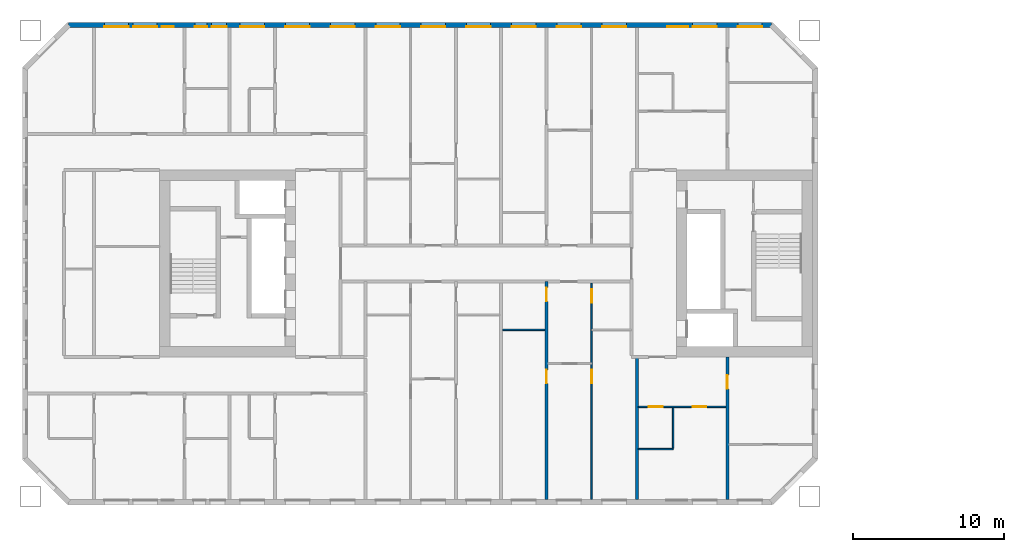
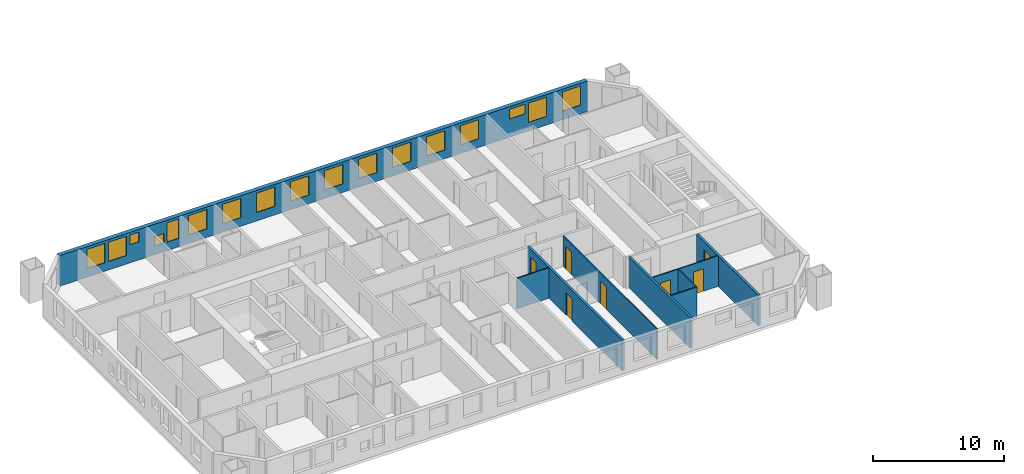
# One storey, part 6 of 17: 17 windows, 9 walls, 7 doors, 24 openings.
"""IFC4 building model written with IfcOpenShell, lengths in metres."""

from ifc_helpers import new_model, si_unit, direction, frame, frame_2d, origin, place, context, subcontext, project, spatial, rectangle, extrude, material, layer, layer_set, type_object, element, fill, save


model = new_model("IFC4")

# Units and contexts
model_context = context("Model", 3, precision=1e-05, world=origin(), true_north=direction((0.0, 1.0)))
body_context = subcontext(model_context, "Body", "Model", "MODEL_VIEW")
ifc_project = project(units=[si_unit("LENGTHUNIT", "METRE"), si_unit("AREAUNIT", "SQUARE_METRE"), si_unit("VOLUMEUNIT", "CUBIC_METRE"), si_unit("PLANEANGLEUNIT", "RADIAN"), si_unit("MASSUNIT", "GRAM", prefix="KILO")], contexts=[model_context])

# Site, building, storey
site_placement = place(None, origin())
site = spatial("IfcSite", under=ifc_project, at=site_placement, CompositionType="ELEMENT")
building_placement = place(site_placement, origin())
building = spatial("IfcBuilding", under=site, at=building_placement, Name="Tuart Gate Housing", CompositionType="ELEMENT")
storey_placement = place(building_placement, frame((0.0, 0.0, 74.699951171875)))
storey = spatial("IfcBuildingStorey", under=building, at=storey_placement, Name="L20", CompositionType="ELEMENT", Elevation=74.699951171875)

# Wall, openings, windows
ifc_material_1 = material(Name="Brick", Category="masonry")
ifc_layer_1 = layer(ifc_material_1, 0.360107421875)
ifc_layer_set_1 = layer_set([ifc_layer_1], Name="Brick pier and spandrel wall 360")
wall_type_1 = type_object("IfcWallType", Name="Brick pier and spandrel wall 360", PredefinedType="STANDARD", material=ifc_layer_set_1)
wall_1_placement = place(storey_placement, frame((72.92529296875, 85.820068359375, 0.0), z_axis=(0.0, 0.0, 1.0), x_axis=(-1.0, 0.0, 0.0)))
wall_1 = element("IfcWall", 1, at=wall_1_placement, inside=storey, type_object=wall_type_1, Name="External wall A-N L20", PredefinedType="STANDARD", context=body_context, shape_type="SweptSolid", body=[
    extrude(rectangle(XDim=46.600830078125, YDim=0.360107421875, at=frame_2d((23.30029296875, 0.0))), origin(), (0.0, 0.0, 1.0), 2.85009765625),
])
opening_1_placement = place(wall_1_placement, frame((0.62548828125, 0.0, 0.800048828125)))
opening_1 = element("IfcOpeningElement", 2, at=opening_1_placement, cuts=wall_1, Name="Opening W1", PredefinedType="OPENING", context=body_context, shape_type="SweptSolid", body=[
    extrude(rectangle(XDim=1.60009765625, YDim=1.800048828125, at=frame_2d((0.800048828125, 0.89990234375))), frame((0.0, 0.18994140625, 0.0), z_axis=(0.0, -1.0, 0.0), x_axis=(1.0, 0.0, 0.0)), (0.0, 0.0, 1.0), 0.380126953125),
])
opening_2_placement = place(wall_1_placement, frame((3.62548828125, 0.0, 0.800048828125)))
opening_2 = element("IfcOpeningElement", 3, at=opening_2_placement, cuts=wall_1, Name="Opening W1", PredefinedType="OPENING", context=body_context, shape_type="SweptSolid", body=[
    extrude(rectangle(XDim=1.60009765625, YDim=1.800048828125, at=frame_2d((0.800048828125, 0.89990234375))), frame((0.0, 0.18994140625, 0.0), z_axis=(0.0, -1.0, 0.0), x_axis=(1.0, 0.0, 0.0)), (0.0, 0.0, 1.0), 0.380126953125),
])
opening_3_placement = place(wall_1_placement, frame((5.525390625, 0.0, 1.699951171875)))
opening_3 = element("IfcOpeningElement", 4, at=opening_3_placement, cuts=wall_1, Name="Opening W1S", PredefinedType="OPENING", context=body_context, shape_type="SweptSolid", body=[
    extrude(rectangle(XDim=1.39990234375, YDim=0.89990234375, at=frame_2d((0.699951171875, 0.449951171875))), frame((0.0, 0.18994140625, 0.0), z_axis=(0.0, -1.0, 0.0), x_axis=(1.0, 0.0, 0.0)), (0.0, 0.0, 1.0), 0.380126953125),
])
opening_4_placement = place(wall_1_placement, frame((9.62548828125, 0.0, 0.800048828125)))
opening_4 = element("IfcOpeningElement", 5, at=opening_4_placement, cuts=wall_1, Name="Opening W1", PredefinedType="OPENING", context=body_context, shape_type="SweptSolid", body=[
    extrude(rectangle(XDim=1.60009765625, YDim=1.800048828125, at=frame_2d((0.800048828125, 0.89990234375))), frame((0.0, 0.18994140625, 0.0), z_axis=(0.0, -1.0, 0.0), x_axis=(1.0, 0.0, 0.0)), (0.0, 0.0, 1.0), 0.380126953125),
])
opening_5_placement = place(wall_1_placement, frame((12.62548828125, 0.0, 0.800048828125)))
opening_5 = element("IfcOpeningElement", 6, at=opening_5_placement, cuts=wall_1, Name="Opening W1", PredefinedType="OPENING", context=body_context, shape_type="SweptSolid", body=[
    extrude(rectangle(XDim=1.60009765625, YDim=1.800048828125, at=frame_2d((0.800048828125, 0.89990234375))), frame((0.0, 0.18994140625, 0.0), z_axis=(0.0, -1.0, 0.0), x_axis=(1.0, 0.0, 0.0)), (0.0, 0.0, 1.0), 0.380126953125),
])
opening_6_placement = place(wall_1_placement, frame((15.62548828125, 0.0, 0.800048828125)))
opening_6 = element("IfcOpeningElement", 7, at=opening_6_placement, cuts=wall_1, Name="Opening W1", PredefinedType="OPENING", context=body_context, shape_type="SweptSolid", body=[
    extrude(rectangle(XDim=1.60009765625, YDim=1.800048828125, at=frame_2d((0.800048828125, 0.89990234375))), frame((0.0, 0.18994140625, 0.0), z_axis=(0.0, -1.0, 0.0), x_axis=(1.0, 0.0, 0.0)), (0.0, 0.0, 1.0), 0.380126953125),
])
opening_7_placement = place(wall_1_placement, frame((18.62548828125, 0.0, 0.800048828125)))
opening_7 = element("IfcOpeningElement", 8, at=opening_7_placement, cuts=wall_1, Name="Opening W1", PredefinedType="OPENING", context=body_context, shape_type="SweptSolid", body=[
    extrude(rectangle(XDim=1.60009765625, YDim=1.800048828125, at=frame_2d((0.800048828125, 0.89990234375))), frame((0.0, 0.18994140625, 0.0), z_axis=(0.0, -1.0, 0.0), x_axis=(1.0, 0.0, 0.0)), (0.0, 0.0, 1.0), 0.380126953125),
])
opening_8_placement = place(wall_1_placement, frame((21.62548828125, 0.0, 0.800048828125)))
opening_8 = element("IfcOpeningElement", 9, at=opening_8_placement, cuts=wall_1, Name="Opening W1", PredefinedType="OPENING", context=body_context, shape_type="SweptSolid", body=[
    extrude(rectangle(XDim=1.60009765625, YDim=1.800048828125, at=frame_2d((0.800048828125, 0.89990234375))), frame((0.0, 0.18994140625, 0.0), z_axis=(0.0, -1.0, 0.0), x_axis=(1.0, 0.0, 0.0)), (0.0, 0.0, 1.0), 0.380126953125),
])
opening_9_placement = place(wall_1_placement, frame((24.62548828125, 0.0, 0.800048828125)))
opening_9 = element("IfcOpeningElement", 10, at=opening_9_placement, cuts=wall_1, Name="Opening W1", PredefinedType="OPENING", context=body_context, shape_type="SweptSolid", body=[
    extrude(rectangle(XDim=1.60009765625, YDim=1.800048828125, at=frame_2d((0.800048828125, 0.89990234375))), frame((0.0, 0.18994140625, 0.0), z_axis=(0.0, -1.0, 0.0), x_axis=(1.0, 0.0, 0.0)), (0.0, 0.0, 1.0), 0.380126953125),
])
opening_10_placement = place(wall_1_placement, frame((27.62548828125, 0.0, 0.800048828125)))
opening_10 = element("IfcOpeningElement", 11, at=opening_10_placement, cuts=wall_1, Name="Opening W1", PredefinedType="OPENING", context=body_context, shape_type="SweptSolid", body=[
    extrude(rectangle(XDim=1.60009765625, YDim=1.800048828125, at=frame_2d((0.800048828125, 0.89990234375))), frame((0.0, 0.18994140625, 0.0), z_axis=(0.0, -1.0, 0.0), x_axis=(1.0, 0.0, 0.0)), (0.0, 0.0, 1.0), 0.380126953125),
])
opening_11_placement = place(wall_1_placement, frame((30.62548828125, 0.0, 0.800048828125)))
opening_11 = element("IfcOpeningElement", 12, at=opening_11_placement, cuts=wall_1, Name="Opening W1", PredefinedType="OPENING", context=body_context, shape_type="SweptSolid", body=[
    extrude(rectangle(XDim=1.60009765625, YDim=1.800048828125, at=frame_2d((0.800048828125, 0.89990234375))), frame((0.0, 0.18994140625, 0.0), z_axis=(0.0, -1.0, 0.0), x_axis=(1.0, 0.0, 0.0)), (0.0, 0.0, 1.0), 0.380126953125),
])
opening_12_placement = place(wall_1_placement, frame((33.62548828125, 0.0, 0.800048828125)))
opening_12 = element("IfcOpeningElement", 13, at=opening_12_placement, cuts=wall_1, Name="Opening W1", PredefinedType="OPENING", context=body_context, shape_type="SweptSolid", body=[
    extrude(rectangle(XDim=1.60009765625, YDim=1.800048828125, at=frame_2d((0.800048828125, 0.89990234375))), frame((0.0, 0.18994140625, 0.0), z_axis=(0.0, -1.0, 0.0), x_axis=(1.0, 0.0, 0.0)), (0.0, 0.0, 1.0), 0.380126953125),
])
opening_13_placement = place(wall_1_placement, frame((36.12548828125, 0.0, 0.800048828125)))
opening_13 = element("IfcOpeningElement", 14, at=opening_13_placement, cuts=wall_1, Name="Opening W1C", PredefinedType="OPENING", context=body_context, shape_type="SweptSolid", body=[
    extrude(rectangle(XDim=1.0, YDim=1.800048828125, at=frame_2d((0.5, 0.89990234375))), frame((0.0, 0.18994140625, 0.0), z_axis=(0.0, -1.0, 0.0), x_axis=(1.0, 0.0, 0.0)), (0.0, 0.0, 1.0), 0.380126953125),
])
opening_14_placement = place(wall_1_placement, frame((39.62548828125, 0.0, 1.699951171875)))
opening_14 = element("IfcOpeningElement", 15, at=opening_14_placement, cuts=wall_1, Name="Opening W1V", PredefinedType="OPENING", context=body_context, shape_type="SweptSolid", body=[
    extrude(rectangle(XDim=0.800048828125, YDim=0.89990234375, at=frame_2d((0.39990234375, 0.449951171875))), frame((0.0, 0.18994140625, 0.0), z_axis=(0.0, -1.0, 0.0), x_axis=(1.0, 0.0, 0.0)), (0.0, 0.0, 1.0), 0.380126953125),
])
opening_15_placement = place(wall_1_placement, frame((42.62548828125, 0.0, 0.800048828125)))
opening_15 = element("IfcOpeningElement", 16, at=opening_15_placement, cuts=wall_1, Name="Opening W1", PredefinedType="OPENING", context=body_context, shape_type="SweptSolid", body=[
    extrude(rectangle(XDim=1.60009765625, YDim=1.800048828125, at=frame_2d((0.800048828125, 0.89990234375))), frame((0.0, 0.18994140625, 0.0), z_axis=(0.0, -1.0, 0.0), x_axis=(1.0, 0.0, 0.0)), (0.0, 0.0, 1.0), 0.380126953125),
])
opening_16_placement = place(wall_1_placement, frame((37.42529296875, 0.0, 0.800048828125)))
opening_16 = element("IfcOpeningElement", 17, at=opening_16_placement, cuts=wall_1, Name="Opening W1V", PredefinedType="OPENING", context=body_context, shape_type="SweptSolid", body=[
    extrude(rectangle(XDim=0.800048828125, YDim=0.89990234375, at=frame_2d((0.39990234375, 0.449951171875))), frame((0.0, 0.18994140625, 0.0), z_axis=(0.0, -1.0, 0.0), x_axis=(1.0, 0.0, 0.0)), (0.0, 0.0, 1.0), 0.380126953125),
])
opening_17_placement = place(wall_1_placement, frame((40.725341796875, 0.0, 0.800048828125)))
opening_17 = element("IfcOpeningElement", 18, at=opening_17_placement, cuts=wall_1, Name="Opening W1", PredefinedType="OPENING", context=body_context, shape_type="SweptSolid", body=[
    extrude(rectangle(XDim=1.60009765625, YDim=1.800048828125, at=frame_2d((0.800048828125, 0.89990234375))), frame((0.0, 0.18994140625, 0.0), z_axis=(0.0, -1.0, 0.0), x_axis=(1.0, 0.0, 0.0)), (0.0, 0.0, 1.0), 0.380126953125),
])
ifc_material_2 = material(Name="Aluminium frame with clear glass", Category="aluminium")
window_type_1 = type_object("IfcWindowType", Name="Punched window 1000 x 1800", PartitioningType="SINGLE_PANEL", PredefinedType="WINDOW", material=ifc_material_2)
window_1_placement = place(opening_13_placement, origin())
window_1 = element("IfcWindow", 19, at=window_1_placement, inside=storey, type_object=window_type_1, Name="Window W1C", OverallHeight=1.800048828125, OverallWidth=1.0, PartitioningType="SINGLE_PANEL", PredefinedType="WINDOW", context=body_context, shape_type="SweptSolid", body=[
    extrude(rectangle(XDim=1.0, YDim=1.800048828125, at=frame_2d((0.5, 0.89990234375))), frame((0.0, 0.150146484375, 0.0), z_axis=(0.0, -1.0, 0.0), x_axis=(1.0, 0.0, 0.0)), (0.0, 0.0, 1.0), 0.06005859375),
])
fill(opening_13, window_1)
ifc_material_3 = material(Name="Aluminium frame with clear glass", Category="aluminium")
window_type_2 = type_object("IfcWindowType", Name="Punched window 1400 x 900", PartitioningType="SINGLE_PANEL", PredefinedType="WINDOW", material=ifc_material_3)
window_2_placement = place(opening_3_placement, origin())
window_2 = element("IfcWindow", 20, at=window_2_placement, inside=storey, type_object=window_type_2, Name="Window W1S", OverallHeight=0.89990234375, OverallWidth=1.39990234375, PartitioningType="SINGLE_PANEL", PredefinedType="WINDOW", context=body_context, shape_type="SweptSolid", body=[
    extrude(rectangle(XDim=1.39990234375, YDim=0.89990234375, at=frame_2d((0.699951171875, 0.449951171875))), frame((0.0, 0.150146484375, 0.0), z_axis=(0.0, -1.0, 0.0), x_axis=(1.0, 0.0, 0.0)), (0.0, 0.0, 1.0), 0.06005859375),
])
fill(opening_3, window_2)
ifc_material_4 = material(Name="Aluminium frame with clear glass", Category="aluminium")
window_type_3 = type_object("IfcWindowType", Name="Punched window 1600 x 1800", PartitioningType="SINGLE_PANEL", PredefinedType="WINDOW", material=ifc_material_4)
window_3_placement = place(opening_1_placement, origin())
window_3 = element("IfcWindow", 21, at=window_3_placement, inside=storey, type_object=window_type_3, Name="Window W1", OverallHeight=1.800048828125, OverallWidth=1.60009765625, PartitioningType="SINGLE_PANEL", PredefinedType="WINDOW", context=body_context, shape_type="SweptSolid", body=[
    extrude(rectangle(XDim=1.60009765625, YDim=1.800048828125, at=frame_2d((0.800048828125, 0.89990234375))), frame((0.0, 0.150146484375, 0.0), z_axis=(0.0, -1.0, 0.0), x_axis=(1.0, 0.0, 0.0)), (0.0, 0.0, 1.0), 0.06005859375),
])
fill(opening_1, window_3)
window_4_placement = place(opening_2_placement, origin())
window_4 = element("IfcWindow", 22, at=window_4_placement, inside=storey, type_object=window_type_3, Name="Window W1", OverallHeight=1.800048828125, OverallWidth=1.60009765625, PartitioningType="SINGLE_PANEL", PredefinedType="WINDOW", context=body_context, shape_type="SweptSolid", body=[
    extrude(rectangle(XDim=1.60009765625, YDim=1.800048828125, at=frame_2d((0.800048828125, 0.89990234375))), frame((0.0, 0.150146484375, 0.0), z_axis=(0.0, -1.0, 0.0), x_axis=(1.0, 0.0, 0.0)), (0.0, 0.0, 1.0), 0.06005859375),
])
fill(opening_2, window_4)
window_5_placement = place(opening_4_placement, origin())
window_5 = element("IfcWindow", 23, at=window_5_placement, inside=storey, type_object=window_type_3, Name="Window W1", OverallHeight=1.800048828125, OverallWidth=1.60009765625, PartitioningType="SINGLE_PANEL", PredefinedType="WINDOW", context=body_context, shape_type="SweptSolid", body=[
    extrude(rectangle(XDim=1.60009765625, YDim=1.800048828125, at=frame_2d((0.800048828125, 0.89990234375))), frame((0.0, 0.150146484375, 0.0), z_axis=(0.0, -1.0, 0.0), x_axis=(1.0, 0.0, 0.0)), (0.0, 0.0, 1.0), 0.06005859375),
])
fill(opening_4, window_5)
window_6_placement = place(opening_5_placement, origin())
window_6 = element("IfcWindow", 24, at=window_6_placement, inside=storey, type_object=window_type_3, Name="Window W1", OverallHeight=1.800048828125, OverallWidth=1.60009765625, PartitioningType="SINGLE_PANEL", PredefinedType="WINDOW", context=body_context, shape_type="SweptSolid", body=[
    extrude(rectangle(XDim=1.60009765625, YDim=1.800048828125, at=frame_2d((0.800048828125, 0.89990234375))), frame((0.0, 0.150146484375, 0.0), z_axis=(0.0, -1.0, 0.0), x_axis=(1.0, 0.0, 0.0)), (0.0, 0.0, 1.0), 0.06005859375),
])
fill(opening_5, window_6)
window_7_placement = place(opening_6_placement, origin())
window_7 = element("IfcWindow", 25, at=window_7_placement, inside=storey, type_object=window_type_3, Name="Window W1", OverallHeight=1.800048828125, OverallWidth=1.60009765625, PartitioningType="SINGLE_PANEL", PredefinedType="WINDOW", context=body_context, shape_type="SweptSolid", body=[
    extrude(rectangle(XDim=1.60009765625, YDim=1.800048828125, at=frame_2d((0.800048828125, 0.89990234375))), frame((0.0, 0.150146484375, 0.0), z_axis=(0.0, -1.0, 0.0), x_axis=(1.0, 0.0, 0.0)), (0.0, 0.0, 1.0), 0.06005859375),
])
fill(opening_6, window_7)
window_8_placement = place(opening_7_placement, origin())
window_8 = element("IfcWindow", 26, at=window_8_placement, inside=storey, type_object=window_type_3, Name="Window W1", OverallHeight=1.800048828125, OverallWidth=1.60009765625, PartitioningType="SINGLE_PANEL", PredefinedType="WINDOW", context=body_context, shape_type="SweptSolid", body=[
    extrude(rectangle(XDim=1.60009765625, YDim=1.800048828125, at=frame_2d((0.800048828125, 0.89990234375))), frame((0.0, 0.150146484375, 0.0), z_axis=(0.0, -1.0, 0.0), x_axis=(1.0, 0.0, 0.0)), (0.0, 0.0, 1.0), 0.06005859375),
])
fill(opening_7, window_8)
window_9_placement = place(opening_8_placement, origin())
window_9 = element("IfcWindow", 27, at=window_9_placement, inside=storey, type_object=window_type_3, Name="Window W1", OverallHeight=1.800048828125, OverallWidth=1.60009765625, PartitioningType="SINGLE_PANEL", PredefinedType="WINDOW", context=body_context, shape_type="SweptSolid", body=[
    extrude(rectangle(XDim=1.60009765625, YDim=1.800048828125, at=frame_2d((0.800048828125, 0.89990234375))), frame((0.0, 0.150146484375, 0.0), z_axis=(0.0, -1.0, 0.0), x_axis=(1.0, 0.0, 0.0)), (0.0, 0.0, 1.0), 0.06005859375),
])
fill(opening_8, window_9)
window_10_placement = place(opening_9_placement, origin())
window_10 = element("IfcWindow", 28, at=window_10_placement, inside=storey, type_object=window_type_3, Name="Window W1", OverallHeight=1.800048828125, OverallWidth=1.60009765625, PartitioningType="SINGLE_PANEL", PredefinedType="WINDOW", context=body_context, shape_type="SweptSolid", body=[
    extrude(rectangle(XDim=1.60009765625, YDim=1.800048828125, at=frame_2d((0.800048828125, 0.89990234375))), frame((0.0, 0.150146484375, 0.0), z_axis=(0.0, -1.0, 0.0), x_axis=(1.0, 0.0, 0.0)), (0.0, 0.0, 1.0), 0.06005859375),
])
fill(opening_9, window_10)
window_11_placement = place(opening_10_placement, origin())
window_11 = element("IfcWindow", 29, at=window_11_placement, inside=storey, type_object=window_type_3, Name="Window W1", OverallHeight=1.800048828125, OverallWidth=1.60009765625, PartitioningType="SINGLE_PANEL", PredefinedType="WINDOW", context=body_context, shape_type="SweptSolid", body=[
    extrude(rectangle(XDim=1.60009765625, YDim=1.800048828125, at=frame_2d((0.800048828125, 0.89990234375))), frame((0.0, 0.150146484375, 0.0), z_axis=(0.0, -1.0, 0.0), x_axis=(1.0, 0.0, 0.0)), (0.0, 0.0, 1.0), 0.06005859375),
])
fill(opening_10, window_11)
window_12_placement = place(opening_11_placement, origin())
window_12 = element("IfcWindow", 30, at=window_12_placement, inside=storey, type_object=window_type_3, Name="Window W1", OverallHeight=1.800048828125, OverallWidth=1.60009765625, PartitioningType="SINGLE_PANEL", PredefinedType="WINDOW", context=body_context, shape_type="SweptSolid", body=[
    extrude(rectangle(XDim=1.60009765625, YDim=1.800048828125, at=frame_2d((0.800048828125, 0.89990234375))), frame((0.0, 0.150146484375, 0.0), z_axis=(0.0, -1.0, 0.0), x_axis=(1.0, 0.0, 0.0)), (0.0, 0.0, 1.0), 0.06005859375),
])
fill(opening_11, window_12)
window_13_placement = place(opening_12_placement, origin())
window_13 = element("IfcWindow", 31, at=window_13_placement, inside=storey, type_object=window_type_3, Name="Window W1", OverallHeight=1.800048828125, OverallWidth=1.60009765625, PartitioningType="SINGLE_PANEL", PredefinedType="WINDOW", context=body_context, shape_type="SweptSolid", body=[
    extrude(rectangle(XDim=1.60009765625, YDim=1.800048828125, at=frame_2d((0.800048828125, 0.89990234375))), frame((0.0, 0.150146484375, 0.0), z_axis=(0.0, -1.0, 0.0), x_axis=(1.0, 0.0, 0.0)), (0.0, 0.0, 1.0), 0.06005859375),
])
fill(opening_12, window_13)
window_14_placement = place(opening_15_placement, origin())
window_14 = element("IfcWindow", 32, at=window_14_placement, inside=storey, type_object=window_type_3, Name="Window W1", OverallHeight=1.800048828125, OverallWidth=1.60009765625, PartitioningType="SINGLE_PANEL", PredefinedType="WINDOW", context=body_context, shape_type="SweptSolid", body=[
    extrude(rectangle(XDim=1.60009765625, YDim=1.800048828125, at=frame_2d((0.800048828125, 0.89990234375))), frame((0.0, 0.150146484375, 0.0), z_axis=(0.0, -1.0, 0.0), x_axis=(1.0, 0.0, 0.0)), (0.0, 0.0, 1.0), 0.06005859375),
])
fill(opening_15, window_14)
window_15_placement = place(opening_17_placement, origin())
window_15 = element("IfcWindow", 33, at=window_15_placement, inside=storey, type_object=window_type_3, Name="Window W1", OverallHeight=1.800048828125, OverallWidth=1.60009765625, PartitioningType="SINGLE_PANEL", PredefinedType="WINDOW", context=body_context, shape_type="SweptSolid", body=[
    extrude(rectangle(XDim=1.60009765625, YDim=1.800048828125, at=frame_2d((0.800048828125, 0.89990234375))), frame((0.0, 0.150146484375, 0.0), z_axis=(0.0, -1.0, 0.0), x_axis=(1.0, 0.0, 0.0)), (0.0, 0.0, 1.0), 0.06005859375),
])
fill(opening_17, window_15)
ifc_material_5 = material(Name="Aluminium frame with clear glass", Category="aluminium")
window_type_4 = type_object("IfcWindowType", Name="Punched window 800 x 900", PartitioningType="SINGLE_PANEL", PredefinedType="WINDOW", material=ifc_material_5)
window_16_placement = place(opening_14_placement, origin())
window_16 = element("IfcWindow", 34, at=window_16_placement, inside=storey, type_object=window_type_4, Name="Window W1V", OverallHeight=0.89990234375, OverallWidth=0.800048828125, PartitioningType="SINGLE_PANEL", PredefinedType="WINDOW", context=body_context, shape_type="SweptSolid", body=[
    extrude(rectangle(XDim=0.800048828125, YDim=0.89990234375, at=frame_2d((0.39990234375, 0.449951171875))), frame((0.0, 0.150146484375, 0.0), z_axis=(0.0, -1.0, 0.0), x_axis=(1.0, 0.0, 0.0)), (0.0, 0.0, 1.0), 0.06005859375),
])
fill(opening_14, window_16)
window_17_placement = place(opening_16_placement, origin())
window_17 = element("IfcWindow", 35, at=window_17_placement, inside=storey, type_object=window_type_4, Name="Window W1V", OverallHeight=0.89990234375, OverallWidth=0.800048828125, PartitioningType="SINGLE_PANEL", PredefinedType="WINDOW", context=body_context, shape_type="SweptSolid", body=[
    extrude(rectangle(XDim=0.800048828125, YDim=0.89990234375, at=frame_2d((0.39990234375, 0.449951171875))), frame((0.0, 0.150146484375, 0.0), z_axis=(0.0, -1.0, 0.0), x_axis=(1.0, 0.0, 0.0)), (0.0, 0.0, 1.0), 0.06005859375),
])
fill(opening_16, window_17)

# Wall
ifc_material_6 = material(Name="Gypsum board on steel studs", Category="steel")
ifc_layer_2 = layer(ifc_material_6, 0.10009765625)
ifc_layer_set_2 = layer_set([ifc_layer_2], Name="Partition 100")
wall_type_2 = type_object("IfcWallType", Name="Partition 100", PredefinedType="PARTITIONING", material=ifc_layer_set_2)
wall_2_placement = place(storey_placement, frame((64.10009765625, 57.699951171875, 0.0), z_axis=(0.0, 0.0, 1.0), x_axis=(1.0, 0.0, 0.0)))
element("IfcWall", 36, at=wall_2_placement, inside=storey, type_object=wall_type_2, Name="Partition 100", PredefinedType="PARTITIONING", context=body_context, shape_type="SweptSolid", body=[
    extrude(rectangle(XDim=2.2998046875, YDim=0.10009765625, at=frame_2d((1.14990234375, 0.0))), origin(), (0.0, 0.0, 1.0), 2.85009765625),
])

# Wall, openings, doors
wall_3_placement = place(storey_placement, frame((64.10009765625, 60.5, 0.0), z_axis=(0.0, 0.0, 1.0), x_axis=(1.0, 0.0, 0.0)))
wall_3 = element("IfcWall", 37, at=wall_3_placement, inside=storey, type_object=wall_type_2, Name="Partition 100", PredefinedType="PARTITIONING", context=body_context, shape_type="SweptSolid", body=[
    extrude(rectangle(XDim=5.7998046875, YDim=0.10009765625, at=frame_2d((2.89990234375, 0.0))), origin(), (0.0, 0.0, 1.0), 2.85009765625),
])
opening_18_placement = place(wall_3_placement, frame((3.60009765625, 0.0, 0.0)))
opening_18 = element("IfcOpeningElement", 38, at=opening_18_placement, cuts=wall_3, Name="Opening D888", PredefinedType="OPENING", context=body_context, shape_type="SweptSolid", body=[
    extrude(rectangle(XDim=0.89990234375, YDim=2.10009765625, at=frame_2d((0.449951171875, 1.050048828125))), frame((0.0, 0.06005859375, 0.0), z_axis=(0.0, -1.0, 0.0), x_axis=(1.0, 0.0, 0.0)), (0.0, 0.0, 1.0), 0.1201171875),
])
opening_19_placement = place(wall_3_placement, frame((0.699951171875, 0.0, 0.0)))
opening_19 = element("IfcOpeningElement", 39, at=opening_19_placement, cuts=wall_3, Name="Opening D887", PredefinedType="OPENING", context=body_context, shape_type="SweptSolid", body=[
    extrude(rectangle(XDim=0.89990234375, YDim=2.10009765625, at=frame_2d((0.449951171875, 1.050048828125))), frame((0.0, 0.06005859375, 0.0), z_axis=(0.0, -1.0, 0.0), x_axis=(1.0, 0.0, 0.0)), (0.0, 0.0, 1.0), 0.1201171875),
])
ifc_material_7 = material(Name="Timber door leaf in steel frame", Category="steel")
door_type_1 = type_object("IfcDoorType", Name="Bathroom door 900", OperationType="SINGLE_SWING_LEFT", PredefinedType="DOOR", material=ifc_material_7)
door_1_placement = place(opening_19_placement, frame((0.89990234375, 0.0, 0.0), z_axis=(0.0, 0.0, 1.0), x_axis=(-1.0, 0.0, 0.0)))
door_1 = element("IfcDoor", 40, at=door_1_placement, inside=storey, type_object=door_type_1, Name="Bathroom door", OperationType="SINGLE_SWING_LEFT", OverallHeight=2.10009765625, OverallWidth=0.89990234375, PredefinedType="DOOR", context=body_context, shape_type="SweptSolid", body=[
    extrude(rectangle(XDim=0.89990234375, YDim=2.10009765625, at=frame_2d((0.449951171875, 1.050048828125))), frame((0.0, 0.025146484375, 0.0), z_axis=(0.0, -1.0, 0.0), x_axis=(1.0, 0.0, 0.0)), (0.0, 0.0, 1.0), 0.050048828125),
])
fill(opening_19, door_1)
ifc_material_8 = material(Name="Timber door leaf in steel frame", Category="steel")
door_type_2 = type_object("IfcDoorType", Name="Internal door 900 RH", OperationType="SINGLE_SWING_RIGHT", PredefinedType="DOOR", material=ifc_material_8)
door_2_placement = place(opening_18_placement, frame((0.89990234375, 0.0, 0.0), z_axis=(0.0, 0.0, 1.0), x_axis=(-1.0, 0.0, 0.0)))
door_2 = element("IfcDoor", 41, at=door_2_placement, inside=storey, type_object=door_type_2, Name="Internal door", OperationType="SINGLE_SWING_RIGHT", OverallHeight=2.10009765625, OverallWidth=0.89990234375, PredefinedType="DOOR", context=body_context, shape_type="SweptSolid", body=[
    extrude(rectangle(XDim=0.89990234375, YDim=2.10009765625, at=frame_2d((0.449951171875, 1.050048828125))), frame((0.0, 0.025146484375, 0.0), z_axis=(0.0, -1.0, 0.0), x_axis=(1.0, 0.0, 0.0)), (0.0, 0.0, 1.0), 0.050048828125),
])
fill(opening_18, door_2)

# Wall
wall_4_placement = place(storey_placement, frame((55.10009765625, 65.60009765625, 0.0), z_axis=(0.0, 0.0, 1.0), x_axis=(1.0, 0.0, 0.0)))
element("IfcWall", 42, at=wall_4_placement, inside=storey, type_object=wall_type_2, Name="Partition 100", PredefinedType="PARTITIONING", context=body_context, shape_type="SweptSolid", body=[
    extrude(rectangle(XDim=2.7998046875, YDim=0.10009765625, at=frame_2d((1.39990234375, 0.0))), origin(), (0.0, 0.0, 1.0), 2.85009765625),
])

# Wall, openings, doors
wall_5_placement = place(storey_placement, frame((61.0, 54.360107421875, 0.0), z_axis=(0.0, 0.0, 1.0), x_axis=(0.0, 1.0, 0.0)))
wall_5 = element("IfcWall", 43, at=wall_5_placement, inside=storey, type_object=wall_type_2, Name="Partition 100", PredefinedType="PARTITIONING", context=body_context, shape_type="SweptSolid", body=[
    extrude(rectangle(XDim=14.33984375, YDim=0.10009765625, at=frame_2d((7.169921875, 0.0))), origin(), (0.0, 0.0, 1.0), 2.85009765625),
])
opening_20_placement = place(wall_5_placement, frame((7.699951171875, 0.0, 0.0)))
opening_20 = element("IfcOpeningElement", 44, at=opening_20_placement, cuts=wall_5, Name="Opening D884", PredefinedType="OPENING", context=body_context, shape_type="SweptSolid", body=[
    extrude(rectangle(XDim=0.89990234375, YDim=2.10009765625, at=frame_2d((0.449951171875, 1.050048828125))), frame((0.0, 0.06005859375, 0.0), z_axis=(0.0, -1.0, 0.0), x_axis=(1.0, 0.0, 0.0)), (0.0, 0.0, 1.0), 0.1201171875),
])
opening_21_placement = place(wall_5_placement, frame((13.0400390625, 0.0, 0.0)))
opening_21 = element("IfcOpeningElement", 45, at=opening_21_placement, cuts=wall_5, Name="Opening D883", PredefinedType="OPENING", context=body_context, shape_type="SweptSolid", body=[
    extrude(rectangle(XDim=0.89990234375, YDim=2.10009765625, at=frame_2d((0.449951171875, 1.050048828125))), frame((0.0, 0.06005859375, 0.0), z_axis=(0.0, -1.0, 0.0), x_axis=(1.0, 0.0, 0.0)), (0.0, 0.0, 1.0), 0.1201171875),
])
door_3_placement = place(opening_21_placement, frame((0.89990234375, 0.0, 0.0), z_axis=(0.0, 0.0, 1.0), x_axis=(-1.0, 0.0, 0.0)))
door_3 = element("IfcDoor", 46, at=door_3_placement, inside=storey, type_object=door_type_1, Name="Bathroom door", OperationType="SINGLE_SWING_LEFT", OverallHeight=2.10009765625, OverallWidth=0.89990234375, PredefinedType="DOOR", context=body_context, shape_type="SweptSolid", body=[
    extrude(rectangle(XDim=0.89990234375, YDim=2.10009765625, at=frame_2d((0.449951171875, 1.050048828125))), frame((0.0, 0.025146484375, 0.0), z_axis=(0.0, -1.0, 0.0), x_axis=(1.0, 0.0, 0.0)), (0.0, 0.0, 1.0), 0.050048828125),
])
fill(opening_21, door_3)
ifc_material_9 = material(Name="Timber door leaf in steel frame", Category="steel")
door_type_3 = type_object("IfcDoorType", Name="Internal door 900", OperationType="SINGLE_SWING_LEFT", PredefinedType="DOOR", material=ifc_material_9)
door_4_placement = place(opening_20_placement, frame((0.89990234375, 0.0, 0.0), z_axis=(0.0, 0.0, 1.0), x_axis=(-1.0, 0.0, 0.0)))
door_4 = element("IfcDoor", 47, at=door_4_placement, inside=storey, type_object=door_type_3, Name="Internal door", OperationType="SINGLE_SWING_LEFT", OverallHeight=2.10009765625, OverallWidth=0.89990234375, PredefinedType="DOOR", context=body_context, shape_type="SweptSolid", body=[
    extrude(rectangle(XDim=0.89990234375, YDim=2.10009765625, at=frame_2d((0.449951171875, 1.050048828125))), frame((0.0, 0.025146484375, 0.0), z_axis=(0.0, -1.0, 0.0), x_axis=(1.0, 0.0, 0.0)), (0.0, 0.0, 1.0), 0.050048828125),
])
fill(opening_20, door_4)

# Wall
wall_6_placement = place(storey_placement, frame((66.39990234375, 57.75, 0.0), z_axis=(0.0, 0.0, 1.0), x_axis=(0.0, 1.0, 0.0)))
element("IfcWall", 48, at=wall_6_placement, inside=storey, type_object=wall_type_2, Name="Partition 100", PredefinedType="PARTITIONING", context=body_context, shape_type="SweptSolid", body=[
    extrude(rectangle(XDim=2.699951171875, YDim=0.10009765625, at=frame_2d((1.35009765625, 0.0))), origin(), (0.0, 0.0, 1.0), 2.85009765625),
])

# Wall, openings, doors
ifc_material_10 = material(Name="Concrete C40", Category="concrete")
ifc_layer_3 = layer(ifc_material_10, 0.199951171875)
ifc_layer_set_3 = layer_set([ifc_layer_3], Name="Party wall concrete C40 200")
wall_type_3 = type_object("IfcWallType", Name="Party wall concrete C40 200", PredefinedType="SOLIDWALL", material=ifc_layer_set_3)
wall_7_placement = place(storey_placement, frame((58.0, 54.360107421875, 0.0), z_axis=(0.0, 0.0, 1.0), x_axis=(0.0, 1.0, 0.0)))
wall_7 = element("IfcWall", 49, at=wall_7_placement, inside=storey, type_object=wall_type_3, Name="Party wall concrete C40 200", PredefinedType="SOLIDWALL", context=body_context, shape_type="SweptSolid", body=[
    extrude(rectangle(XDim=14.43994140625, YDim=0.199951171875, at=frame_2d((7.219970703125, 0.0))), origin(), (0.0, 0.0, 1.0), 2.85009765625),
])
opening_22_placement = place(wall_7_placement, frame((7.699951171875, 0.0, 0.0)))
opening_22 = element("IfcOpeningElement", 50, at=opening_22_placement, cuts=wall_7, Name="Opening D880", PredefinedType="OPENING", context=body_context, shape_type="SweptSolid", body=[
    extrude(rectangle(XDim=0.89990234375, YDim=2.10009765625, at=frame_2d((0.449951171875, 1.050048828125))), frame((0.0, 0.10986328125, 0.0), z_axis=(0.0, -1.0, 0.0), x_axis=(1.0, 0.0, 0.0)), (0.0, 0.0, 1.0), 0.219970703125),
])
opening_23_placement = place(wall_7_placement, frame((13.139892578125, 0.0, 0.0)))
opening_23 = element("IfcOpeningElement", 51, at=opening_23_placement, cuts=wall_7, Name="Opening D879", PredefinedType="OPENING", context=body_context, shape_type="SweptSolid", body=[
    extrude(rectangle(XDim=0.89990234375, YDim=2.10009765625, at=frame_2d((0.449951171875, 1.050048828125))), frame((0.0, 0.10986328125, 0.0), z_axis=(0.0, -1.0, 0.0), x_axis=(1.0, 0.0, 0.0)), (0.0, 0.0, 1.0), 0.219970703125),
])
ifc_material_11 = material(Name="Timber door leaf in steel frame", Category="steel")
door_type_4 = type_object("IfcDoorType", Name="Bathroom door 900 RH", OperationType="SINGLE_SWING_RIGHT", PredefinedType="DOOR", material=ifc_material_11)
door_5_placement = place(opening_23_placement, origin())
door_5 = element("IfcDoor", 52, at=door_5_placement, inside=storey, type_object=door_type_4, Name="Bathroom door", OperationType="SINGLE_SWING_RIGHT", OverallHeight=2.10009765625, OverallWidth=0.89990234375, PredefinedType="DOOR", context=body_context, shape_type="SweptSolid", body=[
    extrude(rectangle(XDim=0.89990234375, YDim=2.10009765625, at=frame_2d((0.449951171875, 1.050048828125))), frame((0.0, 0.02490234375, 0.0), z_axis=(0.0, -1.0, 0.0), x_axis=(1.0, 0.0, 0.0)), (0.0, 0.0, 1.0), 0.050048828125),
])
fill(opening_23, door_5)
door_6_placement = place(opening_22_placement, origin())
door_6 = element("IfcDoor", 53, at=door_6_placement, inside=storey, type_object=door_type_2, Name="Internal door", OperationType="SINGLE_SWING_RIGHT", OverallHeight=2.10009765625, OverallWidth=0.89990234375, PredefinedType="DOOR", context=body_context, shape_type="SweptSolid", body=[
    extrude(rectangle(XDim=0.89990234375, YDim=2.10009765625, at=frame_2d((0.449951171875, 1.050048828125))), frame((0.0, 0.02490234375, 0.0), z_axis=(0.0, -1.0, 0.0), x_axis=(1.0, 0.0, 0.0)), (0.0, 0.0, 1.0), 0.050048828125),
])
fill(opening_22, door_6)

# Wall
wall_8_placement = place(storey_placement, frame((64.0, 54.360107421875, 0.0), z_axis=(0.0, 0.0, 1.0), x_axis=(0.0, 1.0, 0.0)))
element("IfcWall", 54, at=wall_8_placement, inside=storey, type_object=wall_type_3, Name="Party wall concrete C40 200", PredefinedType="SOLIDWALL", context=body_context, shape_type="SweptSolid", body=[
    extrude(rectangle(XDim=9.43994140625, YDim=0.199951171875, at=frame_2d((4.719970703125, 0.0))), origin(), (0.0, 0.0, 1.0), 2.85009765625),
])

# Wall, opening, door
wall_9_placement = place(storey_placement, frame((70.0, 54.360107421875, 0.0), z_axis=(0.0, 0.0, 1.0), x_axis=(0.0, 1.0, 0.0)))
wall_9 = element("IfcWall", 55, at=wall_9_placement, inside=storey, type_object=wall_type_3, Name="Party wall concrete C40 200", PredefinedType="SOLIDWALL", context=body_context, shape_type="SweptSolid", body=[
    extrude(rectangle(XDim=9.43994140625, YDim=0.199951171875, at=frame_2d((4.719970703125, 0.0))), origin(), (0.0, 0.0, 1.0), 2.85009765625),
])
opening_24_placement = place(wall_9_placement, frame((7.340087890625, 0.0, 0.0)))
opening_24 = element("IfcOpeningElement", 56, at=opening_24_placement, cuts=wall_9, Name="Opening D889", PredefinedType="OPENING", context=body_context, shape_type="SweptSolid", body=[
    extrude(rectangle(XDim=0.89990234375, YDim=2.10009765625, at=frame_2d((0.449951171875, 1.050048828125))), frame((0.0, 0.10986328125, 0.0), z_axis=(0.0, -1.0, 0.0), x_axis=(1.0, 0.0, 0.0)), (0.0, 0.0, 1.0), 0.219970703125),
])
door_7_placement = place(opening_24_placement, origin())
door_7 = element("IfcDoor", 57, at=door_7_placement, inside=storey, type_object=door_type_3, Name="Internal door", OperationType="SINGLE_SWING_LEFT", OverallHeight=2.10009765625, OverallWidth=0.89990234375, PredefinedType="DOOR", context=body_context, shape_type="SweptSolid", body=[
    extrude(rectangle(XDim=0.89990234375, YDim=2.10009765625, at=frame_2d((0.449951171875, 1.050048828125))), frame((0.0, 0.02490234375, 0.0), z_axis=(0.0, -1.0, 0.0), x_axis=(1.0, 0.0, 0.0)), (0.0, 0.0, 1.0), 0.050048828125),
])
fill(opening_24, door_7)

save(model, "model.ifc")
